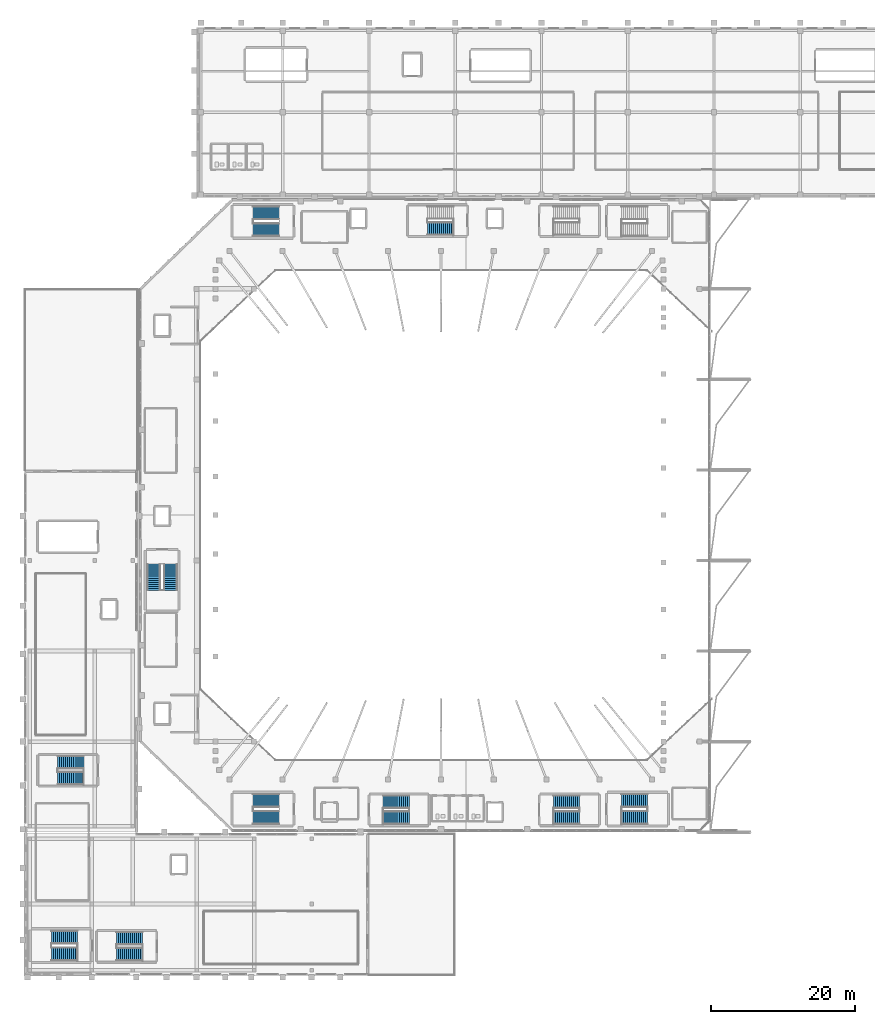
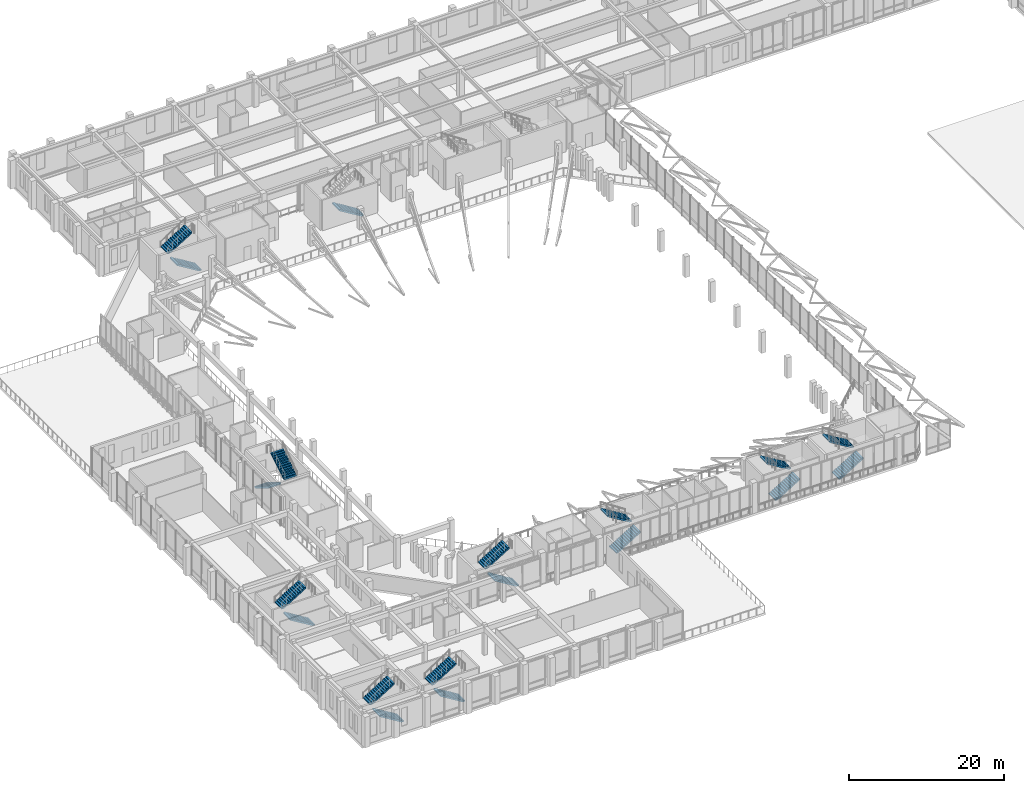
# One storey, part 68 of 79: 19 stair flights, 10 elements without a shape of their own.
"""IFC4 building model written with IfcOpenShell, lengths in metres."""

from ifc_helpers import new_model, si_unit, derived_unit, direction, frame, origin, place, context, subcontext, project, spatial, polyline, outline, extrude, material, type_object, element, aggregate, save


model = new_model("IFC4")

# Units and contexts
model_context = context("Model", 3, precision=1e-05, world=origin(), true_north=direction((0.0, 1.0)))
body_context = subcontext(model_context, "Body", "Model", "MODEL_VIEW")
ifc_project = project(units=[si_unit("LENGTHUNIT", "METRE"), si_unit("AREAUNIT", "SQUARE_METRE"), si_unit("VOLUMEUNIT", "CUBIC_METRE"), si_unit("PLANEANGLEUNIT", "RADIAN"), si_unit("MASSUNIT", "GRAM", prefix="KILO"), derived_unit("THERMALTRANSMITTANCEUNIT", [(si_unit("MASSUNIT", "GRAM", prefix="KILO"), 1), (si_unit("TIMEUNIT", "SECOND"), -3), (si_unit("THERMODYNAMICTEMPERATUREUNIT", "KELVIN"), -1)])], contexts=[model_context])

# Site, building, storey
site_placement = place(None, origin())
site = spatial("IfcSite", under=ifc_project, at=site_placement, CompositionType="ELEMENT")
building_placement = place(site_placement, origin())
building = spatial("IfcBuilding", under=site, at=building_placement, Name="Valcora Ridge Arena", CompositionType="ELEMENT")
storey_placement = place(building_placement, frame((0.0, 0.0, 16.199951171875)))
storey = spatial("IfcBuildingStorey", under=building, at=storey_placement, Name="L03", CompositionType="ELEMENT", Elevation=16.199951171875)

# Stair, stair flights
ifc_material = material(Name="Concrete C40/50", Category="concrete")
stair_type_1 = type_object("IfcStairType", Name="TY-STAIR-ES01-48", PredefinedType="HALF_TURN_STAIR", material=ifc_material)
stair_1_placement = place(storey_placement, origin())
stair_1 = element("IfcStair", 1, at=stair_1_placement, inside=storey, type_object=stair_type_1, Name="ES01-48 STR-ES-0004", PredefinedType="HALF_TURN_STAIR")
stair_flight_type_1 = type_object("IfcStairFlightType", Name="TY-FLIGHT-ES01-48", PredefinedType="STRAIGHT", material=ifc_material)
stair_flight_1_placement = place(storey_placement, frame((49.9599609375, 21.97998046875, 0.0), z_axis=(0.0, 0.0, 1.0), x_axis=(1.0, 0.0, 0.0)))
stair_flight_1 = element("IfcStairFlight", 2, at=stair_flight_1_placement, type_object=stair_flight_type_1, Name="ES01-48 flight 1", NumberOfRisers=14, NumberOfTreads=13, PredefinedType="STRAIGHT", RiserHeight=0.171429, TreadLength=0.28, context=body_context, shape_type="SweptSolid", body=[
    extrude(outline(polyline([(0.0, 0.0), (0.0, 0.17138671875), (0.280029296875, 0.17138671875), (0.280029296875, 0.3427734375), (0.56005859375, 0.3427734375), (0.56005859375, 0.514404296875), (0.840087890625, 0.514404296875), (0.840087890625, 0.685791015625), (1.1201171875, 0.685791015625), (1.1201171875, 0.857177734375), (1.39990234375, 0.857177734375), (1.39990234375, 1.028564453125), (1.679931640625, 1.028564453125), (1.679931640625, 1.199951171875), (1.9599609375, 1.199951171875), (1.9599609375, 1.371337890625), (2.239990234375, 1.371337890625), (2.239990234375, 1.54296875), (2.52001953125, 1.54296875), (2.52001953125, 1.71435546875), (2.800048828125, 1.71435546875), (2.800048828125, 1.8857421875), (3.080078125, 1.8857421875), (3.080078125, 2.05712890625), (3.360107421875, 2.05712890625), (3.360107421875, 2.228515625), (3.639892578125, 2.228515625), (3.639892578125, 2.39990234375), (3.639892578125, 2.017578125), (0.344482421875, 0.0), (0.0, 0.0)])), frame((0.0, 0.89990234375, 0.0), z_axis=(0.0, -1.0, 0.0), x_axis=(1.0, 0.0, 0.0)), (0.0, 0.0, 1.0), 1.800048828125),
])
stair_flight_2_placement = place(storey_placement, frame((53.60009765625, 24.219970703125, 2.400146484375), z_axis=(0.0, 0.0, 1.0), x_axis=(-1.0, 0.0, 0.0)))
stair_flight_2 = element("IfcStairFlight", 3, at=stair_flight_2_placement, type_object=stair_flight_type_1, Name="ES01-48 flight 2", NumberOfRisers=14, NumberOfTreads=13, PredefinedType="STRAIGHT", RiserHeight=0.171429, TreadLength=0.28, context=body_context, shape_type="SweptSolid", body=[
    extrude(outline(polyline([(0.0, 0.0), (0.0, 0.17138671875), (0.280029296875, 0.17138671875), (0.280029296875, 0.3427734375), (0.56005859375, 0.3427734375), (0.56005859375, 0.514404296875), (0.840087890625, 0.514404296875), (0.840087890625, 0.685791015625), (1.1201171875, 0.685791015625), (1.1201171875, 0.857177734375), (1.39990234375, 0.857177734375), (1.39990234375, 1.028564453125), (1.679931640625, 1.028564453125), (1.679931640625, 1.199951171875), (1.9599609375, 1.199951171875), (1.9599609375, 1.371337890625), (2.239990234375, 1.371337890625), (2.239990234375, 1.54296875), (2.52001953125, 1.54296875), (2.52001953125, 1.71435546875), (2.800048828125, 1.71435546875), (2.800048828125, 1.8857421875), (3.080078125, 1.8857421875), (3.080078125, 2.05712890625), (3.360107421875, 2.05712890625), (3.360107421875, 2.228515625), (3.639892578125, 2.228515625), (3.639892578125, 2.39990234375), (3.639892578125, 2.017578125), (0.344482421875, 0.0), (0.0, 0.0)])), frame((0.0, 0.89990234375, 0.0), z_axis=(0.0, -1.0, 0.0), x_axis=(1.0, 0.0, 0.0)), (0.0, 0.0, 1.0), 1.800048828125),
])
aggregate(stair_1, [stair_flight_1, stair_flight_2])

stair_type_2 = type_object("IfcStairType", Name="TY-STAIR-ES02-48", PredefinedType="HALF_TURN_STAIR", material=ifc_material)
stair_2_placement = place(storey_placement, origin())
stair_2 = element("IfcStair", 4, at=stair_2_placement, inside=storey, type_object=stair_type_2, Name="ES02-48 STR-ES-0008", PredefinedType="HALF_TURN_STAIR")
stair_flight_type_2 = type_object("IfcStairFlightType", Name="TY-FLIGHT-ES02-48", PredefinedType="STRAIGHT", material=ifc_material)
stair_flight_3_placement = place(storey_placement, frame((73.659912109375, 21.97998046875, 0.0), z_axis=(0.0, 0.0, 1.0), x_axis=(1.0, 0.0, 0.0)))
stair_flight_3 = element("IfcStairFlight", 5, at=stair_flight_3_placement, type_object=stair_flight_type_2, Name="ES02-48 flight 1", NumberOfRisers=14, NumberOfTreads=13, PredefinedType="STRAIGHT", RiserHeight=0.171429, TreadLength=0.28, context=body_context, shape_type="SweptSolid", body=[
    extrude(outline(polyline([(0.0, 0.0), (0.0, 0.17138671875), (0.280029296875, 0.17138671875), (0.280029296875, 0.3427734375), (0.56005859375, 0.3427734375), (0.56005859375, 0.514404296875), (0.840087890625, 0.514404296875), (0.840087890625, 0.685791015625), (1.1201171875, 0.685791015625), (1.1201171875, 0.857177734375), (1.39990234375, 0.857177734375), (1.39990234375, 1.028564453125), (1.679931640625, 1.028564453125), (1.679931640625, 1.199951171875), (1.9599609375, 1.199951171875), (1.9599609375, 1.371337890625), (2.239990234375, 1.371337890625), (2.239990234375, 1.54296875), (2.52001953125, 1.54296875), (2.52001953125, 1.71435546875), (2.800048828125, 1.71435546875), (2.800048828125, 1.8857421875), (3.080078125, 1.8857421875), (3.080078125, 2.05712890625), (3.360107421875, 2.05712890625), (3.360107421875, 2.228515625), (3.639892578125, 2.228515625), (3.639892578125, 2.39990234375), (3.639892578125, 2.017578125), (0.344482421875, 0.0), (0.0, 0.0)])), frame((0.0, 0.89990234375, 0.0), z_axis=(0.0, -1.0, 0.0), x_axis=(1.0, 0.0, 0.0)), (0.0, 0.0, 1.0), 1.800048828125),
])
stair_flight_4_placement = place(storey_placement, frame((77.300048828125, 24.219970703125, 2.400146484375), z_axis=(0.0, 0.0, 1.0), x_axis=(-1.0, 0.0, 0.0)))
stair_flight_4 = element("IfcStairFlight", 6, at=stair_flight_4_placement, type_object=stair_flight_type_2, Name="ES02-48 flight 2", NumberOfRisers=14, NumberOfTreads=13, PredefinedType="STRAIGHT", RiserHeight=0.171429, TreadLength=0.28, context=body_context, shape_type="SweptSolid", body=[
    extrude(outline(polyline([(0.0, 0.0), (0.0, 0.17138671875), (0.280029296875, 0.17138671875), (0.280029296875, 0.3427734375), (0.56005859375, 0.3427734375), (0.56005859375, 0.514404296875), (0.840087890625, 0.514404296875), (0.840087890625, 0.685791015625), (1.1201171875, 0.685791015625), (1.1201171875, 0.857177734375), (1.39990234375, 0.857177734375), (1.39990234375, 1.028564453125), (1.679931640625, 1.028564453125), (1.679931640625, 1.199951171875), (1.9599609375, 1.199951171875), (1.9599609375, 1.371337890625), (2.239990234375, 1.371337890625), (2.239990234375, 1.54296875), (2.52001953125, 1.54296875), (2.52001953125, 1.71435546875), (2.800048828125, 1.71435546875), (2.800048828125, 1.8857421875), (3.080078125, 1.8857421875), (3.080078125, 2.05712890625), (3.360107421875, 2.05712890625), (3.360107421875, 2.228515625), (3.639892578125, 2.228515625), (3.639892578125, 2.39990234375), (3.639892578125, 2.017578125), (0.344482421875, 0.0), (0.0, 0.0)])), frame((0.0, 0.89990234375, 0.0), z_axis=(0.0, -1.0, 0.0), x_axis=(1.0, 0.0, 0.0)), (0.0, 0.0, 1.0), 1.800048828125),
])
aggregate(stair_2, [stair_flight_3, stair_flight_4])

# Stair, stair flight
stair_type_3 = type_object("IfcStairType", Name="TY-STAIR-ES03-48", PredefinedType="HALF_TURN_STAIR", material=ifc_material)
stair_3_placement = place(storey_placement, origin())
stair_3 = element("IfcStair", 7, at=stair_3_placement, inside=storey, type_object=stair_type_3, Name="ES03-48 STR-ES-0012", PredefinedType="HALF_TURN_STAIR")
stair_flight_type_3 = type_object("IfcStairFlightType", Name="TY-FLIGHT-ES03-48", PredefinedType="STRAIGHT", material=ifc_material)
stair_flight_5_placement = place(storey_placement, frame((59.739990234375, 103.97998046875, 0.0), z_axis=(0.0, 0.0, 1.0), x_axis=(-1.0, 0.0, 0.0)))
stair_flight_5 = element("IfcStairFlight", 8, at=stair_flight_5_placement, type_object=stair_flight_type_3, Name="ES03-48 flight 1", NumberOfRisers=14, NumberOfTreads=13, PredefinedType="STRAIGHT", RiserHeight=0.171429, TreadLength=0.28, context=body_context, shape_type="SweptSolid", body=[
    extrude(outline(polyline([(0.0, 0.0), (0.0, 0.17138671875), (0.280029296875, 0.17138671875), (0.280029296875, 0.3427734375), (0.56005859375, 0.3427734375), (0.56005859375, 0.514404296875), (0.840087890625, 0.514404296875), (0.840087890625, 0.685791015625), (1.1201171875, 0.685791015625), (1.1201171875, 0.857177734375), (1.39990234375, 0.857177734375), (1.39990234375, 1.028564453125), (1.679931640625, 1.028564453125), (1.679931640625, 1.199951171875), (1.9599609375, 1.199951171875), (1.9599609375, 1.371337890625), (2.239990234375, 1.371337890625), (2.239990234375, 1.54296875), (2.52001953125, 1.54296875), (2.52001953125, 1.71435546875), (2.800048828125, 1.71435546875), (2.800048828125, 1.8857421875), (3.080078125, 1.8857421875), (3.080078125, 2.05712890625), (3.360107421875, 2.05712890625), (3.360107421875, 2.228515625), (3.639892578125, 2.228515625), (3.639892578125, 2.39990234375), (3.639892578125, 2.017578125), (0.344482421875, 0.0), (0.0, 0.0)])), frame((0.0, 0.89990234375, 0.0), z_axis=(0.0, -1.0, 0.0), x_axis=(1.0, 0.0, 0.0)), (0.0, 0.0, 1.0), 1.800048828125),
])
aggregate(stair_3, [stair_flight_5])

# Stair, stair flights
stair_type_4 = type_object("IfcStairType", Name="TY-STAIR-ES05-48", PredefinedType="HALF_TURN_STAIR", material=ifc_material)
stair_4_placement = place(storey_placement, origin())
stair_4 = element("IfcStair", 9, at=stair_4_placement, inside=storey, type_object=stair_type_4, Name="ES05-48 STR-ES-0020", PredefinedType="HALF_TURN_STAIR")
stair_flight_type_4 = type_object("IfcStairFlightType", Name="TY-FLIGHT-ES05-48", PredefinedType="STRAIGHT", material=ifc_material)
stair_flight_6_placement = place(storey_placement, frame((16.5, 2.97998046875, 0.0), z_axis=(0.0, 0.0, 1.0), x_axis=(-1.0, 0.0, 0.0)))
stair_flight_6 = element("IfcStairFlight", 10, at=stair_flight_6_placement, type_object=stair_flight_type_4, Name="ES05-48 flight 1", NumberOfRisers=14, NumberOfTreads=13, PredefinedType="STRAIGHT", RiserHeight=0.171429, TreadLength=0.28, context=body_context, shape_type="SweptSolid", body=[
    extrude(outline(polyline([(0.0, 0.0), (0.0, 0.17138671875), (0.280029296875, 0.17138671875), (0.280029296875, 0.3427734375), (0.56005859375, 0.3427734375), (0.56005859375, 0.514404296875), (0.840087890625, 0.514404296875), (0.840087890625, 0.685791015625), (1.1201171875, 0.685791015625), (1.1201171875, 0.857177734375), (1.39990234375, 0.857177734375), (1.39990234375, 1.028564453125), (1.679931640625, 1.028564453125), (1.679931640625, 1.199951171875), (1.9599609375, 1.199951171875), (1.9599609375, 1.371337890625), (2.239990234375, 1.371337890625), (2.239990234375, 1.54296875), (2.52001953125, 1.54296875), (2.52001953125, 1.71435546875), (2.800048828125, 1.71435546875), (2.800048828125, 1.8857421875), (3.080078125, 1.8857421875), (3.080078125, 2.05712890625), (3.360107421875, 2.05712890625), (3.360107421875, 2.228515625), (3.639892578125, 2.228515625), (3.639892578125, 2.39990234375), (3.639892578125, 2.017578125), (0.344482421875, 0.0), (0.0, 0.0)])), frame((0.0, 0.89990234375, 0.0), z_axis=(0.0, -1.0, 0.0), x_axis=(1.0, 0.0, 0.0)), (0.0, 0.0, 1.0), 1.800048828125),
])
stair_flight_7_placement = place(storey_placement, frame((12.860107421875, 5.219970703125, 2.400146484375), z_axis=(0.0, 0.0, 1.0), x_axis=(1.0, 0.0, 0.0)))
stair_flight_7 = element("IfcStairFlight", 11, at=stair_flight_7_placement, type_object=stair_flight_type_4, Name="ES05-48 flight 2", NumberOfRisers=14, NumberOfTreads=13, PredefinedType="STRAIGHT", RiserHeight=0.171429, TreadLength=0.28, context=body_context, shape_type="SweptSolid", body=[
    extrude(outline(polyline([(0.0, 0.0), (0.0, 0.17138671875), (0.280029296875, 0.17138671875), (0.280029296875, 0.3427734375), (0.56005859375, 0.3427734375), (0.56005859375, 0.514404296875), (0.840087890625, 0.514404296875), (0.840087890625, 0.685791015625), (1.1201171875, 0.685791015625), (1.1201171875, 0.857177734375), (1.39990234375, 0.857177734375), (1.39990234375, 1.028564453125), (1.679931640625, 1.028564453125), (1.679931640625, 1.199951171875), (1.9599609375, 1.199951171875), (1.9599609375, 1.371337890625), (2.239990234375, 1.371337890625), (2.239990234375, 1.54296875), (2.52001953125, 1.54296875), (2.52001953125, 1.71435546875), (2.800048828125, 1.71435546875), (2.800048828125, 1.8857421875), (3.080078125, 1.8857421875), (3.080078125, 2.05712890625), (3.360107421875, 2.05712890625), (3.360107421875, 2.228515625), (3.639892578125, 2.228515625), (3.639892578125, 2.39990234375), (3.639892578125, 2.017578125), (0.344482421875, 0.0), (0.0, 0.0)])), frame((0.0, 0.89990234375, 0.0), z_axis=(0.0, -1.0, 0.0), x_axis=(1.0, 0.0, 0.0)), (0.0, 0.0, 1.0), 1.800048828125),
])
aggregate(stair_4, [stair_flight_6, stair_flight_7])

stair_type_5 = type_object("IfcStairType", Name="TY-STAIR-ES07-48", PredefinedType="HALF_TURN_STAIR", material=ifc_material)
stair_5_placement = place(storey_placement, origin())
stair_5 = element("IfcStair", 12, at=stair_5_placement, inside=storey, type_object=stair_type_5, Name="ES07-48 STR-ES-0026", PredefinedType="HALF_TURN_STAIR")
stair_flight_type_5 = type_object("IfcStairFlightType", Name="TY-FLIGHT-ES07-48", PredefinedType="STRAIGHT", material=ifc_material)
stair_flight_8_placement = place(storey_placement, frame((8.300048828125, 27.47998046875, 0.0), z_axis=(0.0, 0.0, 1.0), x_axis=(-1.0, 0.0, 0.0)))
stair_flight_8 = element("IfcStairFlight", 13, at=stair_flight_8_placement, type_object=stair_flight_type_5, Name="ES07-48 flight 1", NumberOfRisers=14, NumberOfTreads=13, PredefinedType="STRAIGHT", RiserHeight=0.171429, TreadLength=0.28, context=body_context, shape_type="SweptSolid", body=[
    extrude(outline(polyline([(0.0, 0.0), (0.0, 0.17138671875), (0.280029296875, 0.17138671875), (0.280029296875, 0.3427734375), (0.56005859375, 0.3427734375), (0.56005859375, 0.514404296875), (0.840087890625, 0.514404296875), (0.840087890625, 0.685791015625), (1.1201171875, 0.685791015625), (1.1201171875, 0.857177734375), (1.39990234375, 0.857177734375), (1.39990234375, 1.028564453125), (1.679931640625, 1.028564453125), (1.679931640625, 1.199951171875), (1.9599609375, 1.199951171875), (1.9599609375, 1.371337890625), (2.239990234375, 1.371337890625), (2.239990234375, 1.54296875), (2.52001953125, 1.54296875), (2.52001953125, 1.71435546875), (2.800048828125, 1.71435546875), (2.800048828125, 1.8857421875), (3.080078125, 1.8857421875), (3.080078125, 2.05712890625), (3.360107421875, 2.05712890625), (3.360107421875, 2.228515625), (3.639892578125, 2.228515625), (3.639892578125, 2.39990234375), (3.639892578125, 2.017578125), (0.344482421875, 0.0), (0.0, 0.0)])), frame((0.0, 0.89990234375, 0.0), z_axis=(0.0, -1.0, 0.0), x_axis=(1.0, 0.0, 0.0)), (0.0, 0.0, 1.0), 1.800048828125),
])
stair_flight_9_placement = place(storey_placement, frame((4.659912109375, 29.719970703125, 2.400146484375), z_axis=(0.0, 0.0, 1.0), x_axis=(1.0, 0.0, 0.0)))
stair_flight_9 = element("IfcStairFlight", 14, at=stair_flight_9_placement, type_object=stair_flight_type_5, Name="ES07-48 flight 2", NumberOfRisers=14, NumberOfTreads=13, PredefinedType="STRAIGHT", RiserHeight=0.171429, TreadLength=0.28, context=body_context, shape_type="SweptSolid", body=[
    extrude(outline(polyline([(0.0, 0.0), (0.0, 0.17138671875), (0.280029296875, 0.17138671875), (0.280029296875, 0.3427734375), (0.56005859375, 0.3427734375), (0.56005859375, 0.514404296875), (0.840087890625, 0.514404296875), (0.840087890625, 0.685791015625), (1.1201171875, 0.685791015625), (1.1201171875, 0.857177734375), (1.39990234375, 0.857177734375), (1.39990234375, 1.028564453125), (1.679931640625, 1.028564453125), (1.679931640625, 1.199951171875), (1.9599609375, 1.199951171875), (1.9599609375, 1.371337890625), (2.239990234375, 1.371337890625), (2.239990234375, 1.54296875), (2.52001953125, 1.54296875), (2.52001953125, 1.71435546875), (2.800048828125, 1.71435546875), (2.800048828125, 1.8857421875), (3.080078125, 1.8857421875), (3.080078125, 2.05712890625), (3.360107421875, 2.05712890625), (3.360107421875, 2.228515625), (3.639892578125, 2.228515625), (3.639892578125, 2.39990234375), (3.639892578125, 2.017578125), (0.344482421875, 0.0), (0.0, 0.0)])), frame((0.0, 0.89990234375, 0.0), z_axis=(0.0, -1.0, 0.0), x_axis=(1.0, 0.0, 0.0)), (0.0, 0.0, 1.0), 1.800048828125),
])
aggregate(stair_5, [stair_flight_8, stair_flight_9])

stair_type_6 = type_object("IfcStairType", Name="TY-STAIR-ST01-48", PredefinedType="HALF_TURN_STAIR", material=ifc_material)
stair_6_placement = place(storey_placement, origin())
stair_6 = element("IfcStair", 15, at=stair_6_placement, inside=storey, type_object=stair_type_6, Name="ST01-48 STR-CR-0005", PredefinedType="HALF_TURN_STAIR")
stair_flight_type_6 = type_object("IfcStairFlightType", Name="TY-FLIGHT-ST01-48", PredefinedType="STRAIGHT", material=ifc_material)
stair_flight_10_placement = place(storey_placement, frame((35.489990234375, 22.0048828125, 0.0), z_axis=(0.0, 0.0, 1.0), x_axis=(-1.0, 0.0, 0.0)))
stair_flight_10 = element("IfcStairFlight", 16, at=stair_flight_10_placement, type_object=stair_flight_type_6, Name="ST01-48 flight 1", NumberOfRisers=14, NumberOfTreads=13, PredefinedType="STRAIGHT", RiserHeight=0.171429, TreadLength=0.28, context=body_context, shape_type="SweptSolid", body=[
    extrude(outline(polyline([(0.0, 0.0), (0.0, 0.17138671875), (0.280029296875, 0.17138671875), (0.280029296875, 0.3427734375), (0.56005859375, 0.3427734375), (0.56005859375, 0.514404296875), (0.840087890625, 0.514404296875), (0.840087890625, 0.685791015625), (1.1201171875, 0.685791015625), (1.1201171875, 0.857177734375), (1.39990234375, 0.857177734375), (1.39990234375, 1.028564453125), (1.679931640625, 1.028564453125), (1.679931640625, 1.199951171875), (1.9599609375, 1.199951171875), (1.9599609375, 1.371337890625), (2.239990234375, 1.371337890625), (2.239990234375, 1.54296875), (2.52001953125, 1.54296875), (2.52001953125, 1.71435546875), (2.800048828125, 1.71435546875), (2.800048828125, 1.8857421875), (3.080078125, 1.8857421875), (3.080078125, 2.05712890625), (3.360107421875, 2.05712890625), (3.360107421875, 2.228515625), (3.639892578125, 2.228515625), (3.639892578125, 2.39990234375), (3.639892578125, 2.017578125), (0.344482421875, 0.0), (0.0, 0.0)])), frame((0.0, 0.925048828125, 0.0), z_axis=(0.0, -1.0, 0.0), x_axis=(1.0, 0.0, 0.0)), (0.0, 0.0, 1.0), 1.85009765625),
])
stair_flight_11_placement = place(storey_placement, frame((31.85009765625, 24.39501953125, 2.400146484375), z_axis=(0.0, 0.0, 1.0), x_axis=(1.0, 0.0, 0.0)))
stair_flight_11 = element("IfcStairFlight", 17, at=stair_flight_11_placement, type_object=stair_flight_type_6, Name="ST01-48 flight 2", NumberOfRisers=14, NumberOfTreads=13, PredefinedType="STRAIGHT", RiserHeight=0.171429, TreadLength=0.28, context=body_context, shape_type="SweptSolid", body=[
    extrude(outline(polyline([(0.0, 0.0), (0.0, 0.17138671875), (0.280029296875, 0.17138671875), (0.280029296875, 0.3427734375), (0.56005859375, 0.3427734375), (0.56005859375, 0.514404296875), (0.840087890625, 0.514404296875), (0.840087890625, 0.685791015625), (1.1201171875, 0.685791015625), (1.1201171875, 0.857177734375), (1.39990234375, 0.857177734375), (1.39990234375, 1.028564453125), (1.679931640625, 1.028564453125), (1.679931640625, 1.199951171875), (1.9599609375, 1.199951171875), (1.9599609375, 1.371337890625), (2.239990234375, 1.371337890625), (2.239990234375, 1.54296875), (2.52001953125, 1.54296875), (2.52001953125, 1.71435546875), (2.800048828125, 1.71435546875), (2.800048828125, 1.8857421875), (3.080078125, 1.8857421875), (3.080078125, 2.05712890625), (3.360107421875, 2.05712890625), (3.360107421875, 2.228515625), (3.639892578125, 2.228515625), (3.639892578125, 2.39990234375), (3.639892578125, 2.017578125), (0.344482421875, 0.0), (0.0, 0.0)])), frame((0.0, 0.925048828125, 0.0), z_axis=(0.0, -1.0, 0.0), x_axis=(1.0, 0.0, 0.0)), (0.0, 0.0, 1.0), 1.85009765625),
])
aggregate(stair_6, [stair_flight_10, stair_flight_11])

stair_type_7 = type_object("IfcStairType", Name="TY-STAIR-ST02-48", PredefinedType="HALF_TURN_STAIR", material=ifc_material)
stair_7_placement = place(storey_placement, origin())
stair_7 = element("IfcStair", 18, at=stair_7_placement, inside=storey, type_object=stair_type_7, Name="ST02-48 STR-CR-0011", PredefinedType="HALF_TURN_STAIR")
stair_flight_type_7 = type_object("IfcStairFlightType", Name="TY-FLIGHT-ST02-48", PredefinedType="STRAIGHT", material=ifc_material)
stair_flight_12_placement = place(storey_placement, frame((83.110107421875, 22.0048828125, 0.0), z_axis=(0.0, 0.0, 1.0), x_axis=(1.0, 0.0, 0.0)))
stair_flight_12 = element("IfcStairFlight", 19, at=stair_flight_12_placement, type_object=stair_flight_type_7, Name="ST02-48 flight 1", NumberOfRisers=14, NumberOfTreads=13, PredefinedType="STRAIGHT", RiserHeight=0.171429, TreadLength=0.28, context=body_context, shape_type="SweptSolid", body=[
    extrude(outline(polyline([(0.0, 0.0), (0.0, 0.17138671875), (0.280029296875, 0.17138671875), (0.280029296875, 0.3427734375), (0.56005859375, 0.3427734375), (0.56005859375, 0.514404296875), (0.840087890625, 0.514404296875), (0.840087890625, 0.685791015625), (1.1201171875, 0.685791015625), (1.1201171875, 0.857177734375), (1.39990234375, 0.857177734375), (1.39990234375, 1.028564453125), (1.679931640625, 1.028564453125), (1.679931640625, 1.199951171875), (1.9599609375, 1.199951171875), (1.9599609375, 1.371337890625), (2.239990234375, 1.371337890625), (2.239990234375, 1.54296875), (2.52001953125, 1.54296875), (2.52001953125, 1.71435546875), (2.800048828125, 1.71435546875), (2.800048828125, 1.8857421875), (3.080078125, 1.8857421875), (3.080078125, 2.05712890625), (3.360107421875, 2.05712890625), (3.360107421875, 2.228515625), (3.639892578125, 2.228515625), (3.639892578125, 2.39990234375), (3.639892578125, 2.017578125), (0.344482421875, 0.0), (0.0, 0.0)])), frame((0.0, 0.925048828125, 0.0), z_axis=(0.0, -1.0, 0.0), x_axis=(1.0, 0.0, 0.0)), (0.0, 0.0, 1.0), 1.85009765625),
])
stair_flight_13_placement = place(storey_placement, frame((86.75, 24.39501953125, 2.400146484375), z_axis=(0.0, 0.0, 1.0), x_axis=(-1.0, 0.0, 0.0)))
stair_flight_13 = element("IfcStairFlight", 20, at=stair_flight_13_placement, type_object=stair_flight_type_7, Name="ST02-48 flight 2", NumberOfRisers=14, NumberOfTreads=13, PredefinedType="STRAIGHT", RiserHeight=0.171429, TreadLength=0.28, context=body_context, shape_type="SweptSolid", body=[
    extrude(outline(polyline([(0.0, 0.0), (0.0, 0.17138671875), (0.280029296875, 0.17138671875), (0.280029296875, 0.3427734375), (0.56005859375, 0.3427734375), (0.56005859375, 0.514404296875), (0.840087890625, 0.514404296875), (0.840087890625, 0.685791015625), (1.1201171875, 0.685791015625), (1.1201171875, 0.857177734375), (1.39990234375, 0.857177734375), (1.39990234375, 1.028564453125), (1.679931640625, 1.028564453125), (1.679931640625, 1.199951171875), (1.9599609375, 1.199951171875), (1.9599609375, 1.371337890625), (2.239990234375, 1.371337890625), (2.239990234375, 1.54296875), (2.52001953125, 1.54296875), (2.52001953125, 1.71435546875), (2.800048828125, 1.71435546875), (2.800048828125, 1.8857421875), (3.080078125, 1.8857421875), (3.080078125, 2.05712890625), (3.360107421875, 2.05712890625), (3.360107421875, 2.228515625), (3.639892578125, 2.228515625), (3.639892578125, 2.39990234375), (3.639892578125, 2.017578125), (0.344482421875, 0.0), (0.0, 0.0)])), frame((0.0, 0.925048828125, 0.0), z_axis=(0.0, -1.0, 0.0), x_axis=(1.0, 0.0, 0.0)), (0.0, 0.0, 1.0), 1.85009765625),
])
aggregate(stair_7, [stair_flight_12, stair_flight_13])

stair_type_8 = type_object("IfcStairType", Name="TY-STAIR-ST03-48", PredefinedType="HALF_TURN_STAIR", material=ifc_material)
stair_8_placement = place(storey_placement, origin())
stair_8 = element("IfcStair", 21, at=stair_8_placement, inside=storey, type_object=stair_type_8, Name="ST03-48 STR-CR-0016", PredefinedType="HALF_TURN_STAIR")
stair_flight_type_8 = type_object("IfcStairFlightType", Name="TY-FLIGHT-ST03-48", PredefinedType="STRAIGHT", material=ifc_material)
stair_flight_14_placement = place(storey_placement, frame((35.489990234375, 103.804931640625, 0.0), z_axis=(0.0, 0.0, 1.0), x_axis=(-1.0, 0.0, 0.0)))
stair_flight_14 = element("IfcStairFlight", 22, at=stair_flight_14_placement, type_object=stair_flight_type_8, Name="ST03-48 flight 1", NumberOfRisers=14, NumberOfTreads=13, PredefinedType="STRAIGHT", RiserHeight=0.171429, TreadLength=0.28, context=body_context, shape_type="SweptSolid", body=[
    extrude(outline(polyline([(0.0, 0.0), (0.0, 0.17138671875), (0.280029296875, 0.17138671875), (0.280029296875, 0.3427734375), (0.56005859375, 0.3427734375), (0.56005859375, 0.514404296875), (0.840087890625, 0.514404296875), (0.840087890625, 0.685791015625), (1.1201171875, 0.685791015625), (1.1201171875, 0.857177734375), (1.39990234375, 0.857177734375), (1.39990234375, 1.028564453125), (1.679931640625, 1.028564453125), (1.679931640625, 1.199951171875), (1.9599609375, 1.199951171875), (1.9599609375, 1.371337890625), (2.239990234375, 1.371337890625), (2.239990234375, 1.54296875), (2.52001953125, 1.54296875), (2.52001953125, 1.71435546875), (2.800048828125, 1.71435546875), (2.800048828125, 1.8857421875), (3.080078125, 1.8857421875), (3.080078125, 2.05712890625), (3.360107421875, 2.05712890625), (3.360107421875, 2.228515625), (3.639892578125, 2.228515625), (3.639892578125, 2.39990234375), (3.639892578125, 2.017578125), (0.344482421875, 0.0), (0.0, 0.0)])), frame((0.0, 0.925048828125, 0.0), z_axis=(0.0, -1.0, 0.0), x_axis=(1.0, 0.0, 0.0)), (0.0, 0.0, 1.0), 1.85009765625),
])
stair_flight_15_placement = place(storey_placement, frame((31.85009765625, 106.195068359375, 2.400146484375), z_axis=(0.0, 0.0, 1.0), x_axis=(1.0, 0.0, 0.0)))
stair_flight_15 = element("IfcStairFlight", 23, at=stair_flight_15_placement, type_object=stair_flight_type_8, Name="ST03-48 flight 2", NumberOfRisers=14, NumberOfTreads=13, PredefinedType="STRAIGHT", RiserHeight=0.171429, TreadLength=0.28, context=body_context, shape_type="SweptSolid", body=[
    extrude(outline(polyline([(0.0, 0.0), (0.0, 0.17138671875), (0.280029296875, 0.17138671875), (0.280029296875, 0.3427734375), (0.56005859375, 0.3427734375), (0.56005859375, 0.514404296875), (0.840087890625, 0.514404296875), (0.840087890625, 0.685791015625), (1.1201171875, 0.685791015625), (1.1201171875, 0.857177734375), (1.39990234375, 0.857177734375), (1.39990234375, 1.028564453125), (1.679931640625, 1.028564453125), (1.679931640625, 1.199951171875), (1.9599609375, 1.199951171875), (1.9599609375, 1.371337890625), (2.239990234375, 1.371337890625), (2.239990234375, 1.54296875), (2.52001953125, 1.54296875), (2.52001953125, 1.71435546875), (2.800048828125, 1.71435546875), (2.800048828125, 1.8857421875), (3.080078125, 1.8857421875), (3.080078125, 2.05712890625), (3.360107421875, 2.05712890625), (3.360107421875, 2.228515625), (3.639892578125, 2.228515625), (3.639892578125, 2.39990234375), (3.639892578125, 2.017578125), (0.344482421875, 0.0), (0.0, 0.0)])), frame((0.0, 0.925048828125, 0.0), z_axis=(0.0, -1.0, 0.0), x_axis=(1.0, 0.0, 0.0)), (0.0, 0.0, 1.0), 1.85009765625),
])
aggregate(stair_8, [stair_flight_14, stair_flight_15])

stair_type_9 = type_object("IfcStairType", Name="TY-STAIR-ST05-48", PredefinedType="HALF_TURN_STAIR", material=ifc_material)
stair_9_placement = place(storey_placement, origin())
stair_9 = element("IfcStair", 24, at=stair_9_placement, inside=storey, type_object=stair_type_9, Name="ST05-48 STR-CR-0027", PredefinedType="HALF_TURN_STAIR")
stair_flight_type_9 = type_object("IfcStairFlightType", Name="TY-FLIGHT-ST05-48", PredefinedType="STRAIGHT", material=ifc_material)
stair_flight_16_placement = place(storey_placement, frame((18.0048828125, 57.2900390625, 0.0), z_axis=(0.0, 0.0, 1.0), x_axis=(0.0, -1.0, 0.0)))
stair_flight_16 = element("IfcStairFlight", 25, at=stair_flight_16_placement, type_object=stair_flight_type_9, Name="ST05-48 flight 1", NumberOfRisers=14, NumberOfTreads=13, PredefinedType="STRAIGHT", RiserHeight=0.171429, TreadLength=0.28, context=body_context, shape_type="SweptSolid", body=[
    extrude(outline(polyline([(0.0, 0.0), (0.0, 0.17138671875), (0.280029296875, 0.17138671875), (0.280029296875, 0.3427734375), (0.56005859375, 0.3427734375), (0.56005859375, 0.514404296875), (0.840087890625, 0.514404296875), (0.840087890625, 0.685791015625), (1.1201171875, 0.685791015625), (1.1201171875, 0.857177734375), (1.39990234375, 0.857177734375), (1.39990234375, 1.028564453125), (1.679931640625, 1.028564453125), (1.679931640625, 1.199951171875), (1.9599609375, 1.199951171875), (1.9599609375, 1.371337890625), (2.239990234375, 1.371337890625), (2.239990234375, 1.54296875), (2.52001953125, 1.54296875), (2.52001953125, 1.71435546875), (2.800048828125, 1.71435546875), (2.800048828125, 1.8857421875), (3.080078125, 1.8857421875), (3.080078125, 2.05712890625), (3.360107421875, 2.05712890625), (3.360107421875, 2.228515625), (3.639892578125, 2.228515625), (3.639892578125, 2.39990234375), (3.639892578125, 2.017578125), (0.344482421875, 0.0), (0.0, 0.0)])), frame((0.0, 0.925048828125, 0.0), z_axis=(0.0, -1.0, 0.0), x_axis=(1.0, 0.0, 0.0)), (0.0, 0.0, 1.0), 1.85009765625),
])
stair_flight_17_placement = place(storey_placement, frame((20.39501953125, 53.64990234375, 2.400146484375), z_axis=(0.0, 0.0, 1.0), x_axis=(0.0, 1.0, 0.0)))
stair_flight_17 = element("IfcStairFlight", 26, at=stair_flight_17_placement, type_object=stair_flight_type_9, Name="ST05-48 flight 2", NumberOfRisers=14, NumberOfTreads=13, PredefinedType="STRAIGHT", RiserHeight=0.171429, TreadLength=0.28, context=body_context, shape_type="SweptSolid", body=[
    extrude(outline(polyline([(0.0, 0.0), (0.0, 0.17138671875), (0.280029296875, 0.17138671875), (0.280029296875, 0.3427734375), (0.56005859375, 0.3427734375), (0.56005859375, 0.514404296875), (0.840087890625, 0.514404296875), (0.840087890625, 0.685791015625), (1.1201171875, 0.685791015625), (1.1201171875, 0.857177734375), (1.39990234375, 0.857177734375), (1.39990234375, 1.028564453125), (1.679931640625, 1.028564453125), (1.679931640625, 1.199951171875), (1.9599609375, 1.199951171875), (1.9599609375, 1.371337890625), (2.239990234375, 1.371337890625), (2.239990234375, 1.54296875), (2.52001953125, 1.54296875), (2.52001953125, 1.71435546875), (2.800048828125, 1.71435546875), (2.800048828125, 1.8857421875), (3.080078125, 1.8857421875), (3.080078125, 2.05712890625), (3.360107421875, 2.05712890625), (3.360107421875, 2.228515625), (3.639892578125, 2.228515625), (3.639892578125, 2.39990234375), (3.639892578125, 2.017578125), (0.344482421875, 0.0), (0.0, 0.0)])), frame((0.0, 0.925048828125, 0.0), z_axis=(0.0, -1.0, 0.0), x_axis=(1.0, 0.0, 0.0)), (0.0, 0.0, 1.0), 1.85009765625),
])
aggregate(stair_9, [stair_flight_16, stair_flight_17])

stair_type_10 = type_object("IfcStairType", Name="TY-STAIR-ST07-48", PredefinedType="HALF_TURN_STAIR", material=ifc_material)
stair_10_placement = place(storey_placement, origin())
stair_10 = element("IfcStair", 27, at=stair_10_placement, inside=storey, type_object=stair_type_10, Name="ST07-48 STR-CR-0034", PredefinedType="HALF_TURN_STAIR")
stair_flight_type_10 = type_object("IfcStairFlightType", Name="TY-FLIGHT-ST07-48", PredefinedType="STRAIGHT", material=ifc_material)
stair_flight_18_placement = place(storey_placement, frame((7.409912109375, 3.0048828125, 0.0), z_axis=(0.0, 0.0, 1.0), x_axis=(-1.0, 0.0, 0.0)))
stair_flight_18 = element("IfcStairFlight", 28, at=stair_flight_18_placement, type_object=stair_flight_type_10, Name="ST07-48 flight 1", NumberOfRisers=14, NumberOfTreads=13, PredefinedType="STRAIGHT", RiserHeight=0.171429, TreadLength=0.28, context=body_context, shape_type="SweptSolid", body=[
    extrude(outline(polyline([(0.0, 0.0), (0.0, 0.17138671875), (0.280029296875, 0.17138671875), (0.280029296875, 0.3427734375), (0.56005859375, 0.3427734375), (0.56005859375, 0.514404296875), (0.840087890625, 0.514404296875), (0.840087890625, 0.685791015625), (1.1201171875, 0.685791015625), (1.1201171875, 0.857177734375), (1.39990234375, 0.857177734375), (1.39990234375, 1.028564453125), (1.679931640625, 1.028564453125), (1.679931640625, 1.199951171875), (1.9599609375, 1.199951171875), (1.9599609375, 1.371337890625), (2.239990234375, 1.371337890625), (2.239990234375, 1.54296875), (2.52001953125, 1.54296875), (2.52001953125, 1.71435546875), (2.800048828125, 1.71435546875), (2.800048828125, 1.8857421875), (3.080078125, 1.8857421875), (3.080078125, 2.05712890625), (3.360107421875, 2.05712890625), (3.360107421875, 2.228515625), (3.639892578125, 2.228515625), (3.639892578125, 2.39990234375), (3.639892578125, 2.017578125), (0.344482421875, 0.0), (0.0, 0.0)])), frame((0.0, 0.925048828125, 0.0), z_axis=(0.0, -1.0, 0.0), x_axis=(1.0, 0.0, 0.0)), (0.0, 0.0, 1.0), 1.85009765625),
])
stair_flight_19_placement = place(storey_placement, frame((3.77001953125, 5.39501953125, 2.400146484375), z_axis=(0.0, 0.0, 1.0), x_axis=(1.0, 0.0, 0.0)))
stair_flight_19 = element("IfcStairFlight", 29, at=stair_flight_19_placement, type_object=stair_flight_type_10, Name="ST07-48 flight 2", NumberOfRisers=14, NumberOfTreads=13, PredefinedType="STRAIGHT", RiserHeight=0.171429, TreadLength=0.28, context=body_context, shape_type="SweptSolid", body=[
    extrude(outline(polyline([(0.0, 0.0), (0.0, 0.17138671875), (0.280029296875, 0.17138671875), (0.280029296875, 0.3427734375), (0.56005859375, 0.3427734375), (0.56005859375, 0.514404296875), (0.840087890625, 0.514404296875), (0.840087890625, 0.685791015625), (1.1201171875, 0.685791015625), (1.1201171875, 0.857177734375), (1.39990234375, 0.857177734375), (1.39990234375, 1.028564453125), (1.679931640625, 1.028564453125), (1.679931640625, 1.199951171875), (1.9599609375, 1.199951171875), (1.9599609375, 1.371337890625), (2.239990234375, 1.371337890625), (2.239990234375, 1.54296875), (2.52001953125, 1.54296875), (2.52001953125, 1.71435546875), (2.800048828125, 1.71435546875), (2.800048828125, 1.8857421875), (3.080078125, 1.8857421875), (3.080078125, 2.05712890625), (3.360107421875, 2.05712890625), (3.360107421875, 2.228515625), (3.639892578125, 2.228515625), (3.639892578125, 2.39990234375), (3.639892578125, 2.017578125), (0.344482421875, 0.0), (0.0, 0.0)])), frame((0.0, 0.925048828125, 0.0), z_axis=(0.0, -1.0, 0.0), x_axis=(1.0, 0.0, 0.0)), (0.0, 0.0, 1.0), 1.85009765625),
])
aggregate(stair_10, [stair_flight_18, stair_flight_19])

save(model, "model.ifc")
